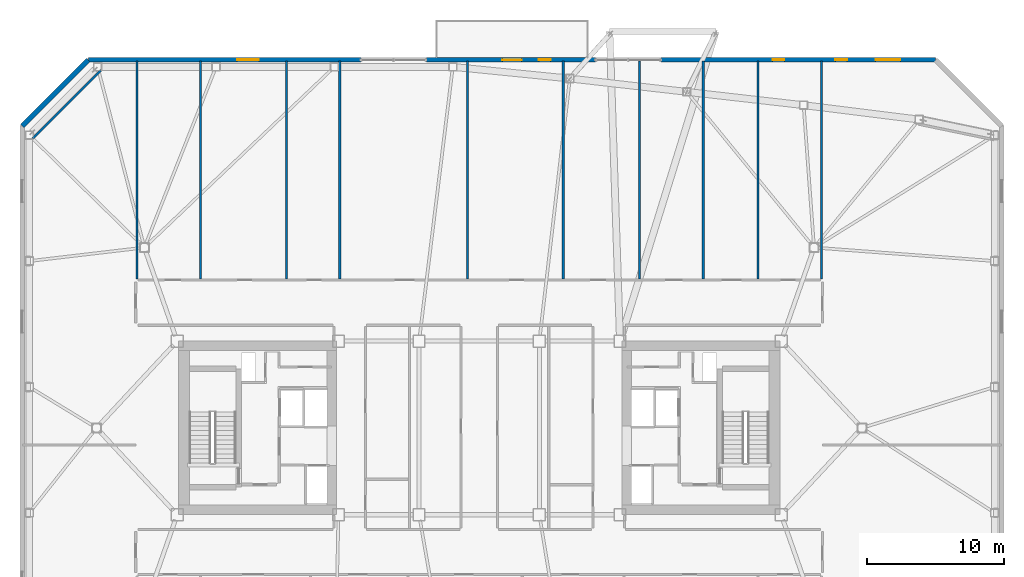
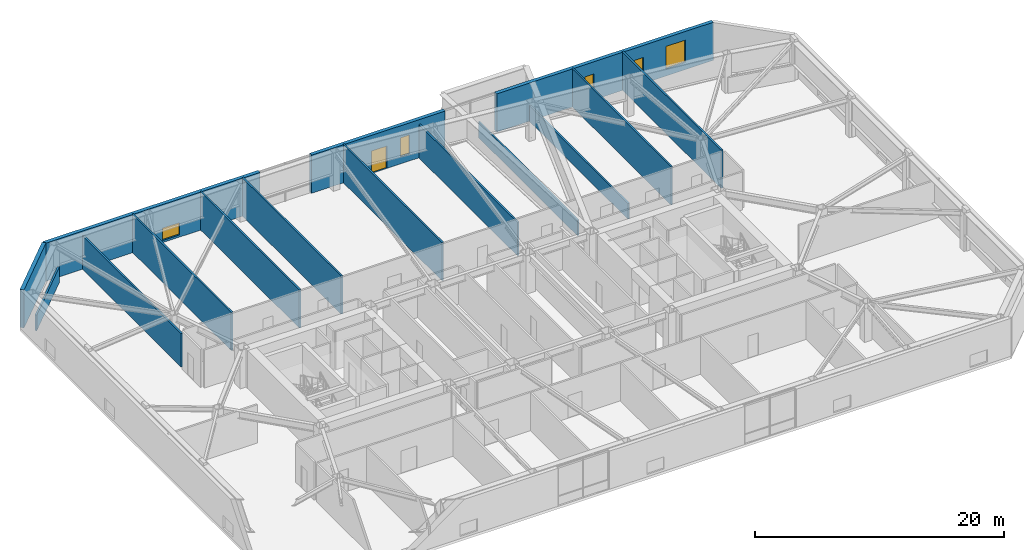
# One storey, part 13 of 19: 15 walls, 5 windows, 1 door, 6 openings.
"""IFC4 building model written with IfcOpenShell, lengths in metres."""

from ifc_helpers import new_model, si_unit, direction, frame, frame_2d, origin, place, context, subcontext, project, spatial, rectangle, extrude, material, layer, layer_set, type_object, element, fill, save


model = new_model("IFC4")

# Units and contexts
model_context = context("Model", 3, precision=1e-05, world=origin(), true_north=direction((0.0, 1.0)))
body_context = subcontext(model_context, "Body", "Model", "MODEL_VIEW")
ifc_project = project(units=[si_unit("LENGTHUNIT", "METRE"), si_unit("AREAUNIT", "SQUARE_METRE"), si_unit("VOLUMEUNIT", "CUBIC_METRE"), si_unit("PLANEANGLEUNIT", "RADIAN"), si_unit("MASSUNIT", "GRAM", prefix="KILO")], contexts=[model_context])

# Site, building, storey
site_placement = place(None, origin())
site = spatial("IfcSite", under=ifc_project, at=site_placement, CompositionType="ELEMENT")
building_placement = place(site_placement, origin())
building = spatial("IfcBuilding", under=site, at=building_placement, Name="Tavrogorsk Clinical Tower", CompositionType="ELEMENT")
storey_placement = place(building_placement, frame((0.0, 0.0, 172.199951171875)))
storey = spatial("IfcBuildingStorey", under=building, at=storey_placement, Name="L39", CompositionType="ELEMENT", Elevation=172.199951171875)

# Walls
ifc_material_1 = material(Name="Lightweight concrete blockwork B15", Category="masonry")
ifc_layer_1 = layer(ifc_material_1, 0.159912109375)
ifc_layer_set_1 = layer_set([ifc_layer_1], Name="Lightweight concrete blockwork B15")
wall_type_1 = type_object("IfcWallType", Name="PartitionWall_160", PredefinedType="PARTITIONING", material=ifc_layer_set_1)
wall_1_placement = place(storey_placement, frame((-27.6796875, 26.1796875, 0.0), z_axis=(0.0, 0.0, 1.0), x_axis=(-0.707106781187, -0.707106781187, 0.0)))
element("IfcWall", 1, at=wall_1_placement, inside=storey, type_object=wall_type_1, Name="L39 Corner Exoskeleton Brace Furring Wall 3", PredefinedType="PARTITIONING", context=body_context, shape_type="SweptSolid", body=[
    extrude(rectangle(XDim=7.071044921875, YDim=0.159912109375, at=frame_2d((3.53564453125, 0.0))), origin(), (0.0, 0.0, 1.0), 1.53515625),
])
wall_2_placement = place(storey_placement, frame((-25.050048828125, 10.9150390625, 0.0), z_axis=(0.0, 0.0, 1.0), x_axis=(0.0, 1.0, 0.0)))
element("IfcWall", 2, at=wall_2_placement, inside=storey, type_object=wall_type_1, Name="L39 NW Wing Closure Partition", PredefinedType="PARTITIONING", context=body_context, shape_type="SweptSolid", body=[
    extrude(rectangle(XDim=15.945068359375, YDim=0.159912109375, at=frame_2d((7.97265625, 0.0))), origin(), (0.0, 0.0, 1.0), 3.28515625),
])
for number, where, z_axis, x_axis, name in (
    (3, (25.050048828125, 10.9150390625, 0.0), (0.0, 0.0, 1.0), (0.0, 1.0, 0.0), "L39 NE Wing Closure Partition"),
    (4, (-20.39990234375, 10.9150390625, 0.0), (0.0, 0.0, 1.0), (0.0, 1.0, 0.0), "L39 North Room Partition 1"),
    (5, (-10.199951171875, 10.9150390625, 0.0), (0.0, 0.0, 1.0), (0.0, 1.0, 0.0), "L39 North Room Partition 2"),
    (6, (-0.85009765625, 10.9150390625, 0.0), (0.0, 0.0, 1.0), (0.0, 1.0, 0.0), "L39 North Room Partition 3"),
):
    element("IfcWall", number, at=place(storey_placement, frame(where, z_axis=z_axis, x_axis=x_axis)), inside=storey, type_object=wall_type_1, Name=name, PredefinedType="PARTITIONING", context=body_context, shape_type="SweptSolid", body=[
        extrude(rectangle(XDim=15.945068359375, YDim=0.159912109375, at=frame_2d((7.97265625, 0.0))), origin(), (0.0, 0.0, 1.0), 3.739990234375),
    ])
wall_3_placement = place(storey_placement, frame((6.14990234375, 10.9150390625, 0.0), z_axis=(0.0, 0.0, 1.0), x_axis=(0.0, 1.0, 0.0)))
element("IfcWall", 7, at=wall_3_placement, inside=storey, type_object=wall_type_1, Name="L39 North Room Partition 4", PredefinedType="PARTITIONING", context=body_context, shape_type="SweptSolid", body=[
    extrude(rectangle(XDim=15.945068359375, YDim=0.159912109375, at=frame_2d((7.97265625, 0.0))), origin(), (0.0, 0.0, 1.0), 3.28515625),
])
wall_4_placement = place(storey_placement, frame((16.39990234375, 10.9150390625, 0.0), z_axis=(0.0, 0.0, 1.0), x_axis=(0.0, 1.0, 0.0)))
element("IfcWall", 8, at=wall_4_placement, inside=storey, type_object=wall_type_1, Name="L39 North Room Partition 5", PredefinedType="PARTITIONING", context=body_context, shape_type="SweptSolid", body=[
    extrude(rectangle(XDim=15.945068359375, YDim=0.159912109375, at=frame_2d((7.97265625, 0.0))), origin(), (0.0, 0.0, 1.0), 1.53515625),
])
for number, where, z_axis, x_axis, name in (
    (9, (20.39990234375, 10.9150390625, 0.0), (0.0, 0.0, 1.0), (0.0, 1.0, 0.0), "L39 North Room Partition 6"),
    (10, (-14.090087890625, 10.9150390625, 0.0), (0.0, 0.0, 1.0), (0.0, 1.0, 0.0), "L39 North Sub-Partition 2"),
):
    element("IfcWall", number, at=place(storey_placement, frame(where, z_axis=z_axis, x_axis=x_axis)), inside=storey, type_object=wall_type_1, Name=name, PredefinedType="PARTITIONING", context=body_context, shape_type="SweptSolid", body=[
        extrude(rectangle(XDim=15.945068359375, YDim=0.159912109375, at=frame_2d((7.97265625, 0.0))), origin(), (0.0, 0.0, 1.0), 3.739990234375),
    ])
wall_5_placement = place(storey_placement, frame((11.72509765625, 10.9150390625, 0.0), z_axis=(0.0, 0.0, 1.0), x_axis=(0.0, 1.0, 0.0)))
element("IfcWall", 11, at=wall_5_placement, inside=storey, type_object=wall_type_1, Name="L39 North Sub-Partition 5", PredefinedType="PARTITIONING", context=body_context, shape_type="SweptSolid", body=[
    extrude(rectangle(XDim=15.945068359375, YDim=0.159912109375, at=frame_2d((7.97265625, 0.0))), origin(), (0.0, 0.0, 1.0), 1.53515625),
])

# Wall, openings, windows
ifc_material_2 = material(Name="Precast concrete B45 with limestone cladding", Category="masonry")
ifc_layer_2 = layer(ifc_material_2, 0.340087890625)
ifc_layer_set_2 = layer_set([ifc_layer_2], Name="Precast concrete B45 with limestone cladding")
wall_type_2 = type_object("IfcWallType", Name="PrecastLimestoneWall_340", PredefinedType="STANDARD", material=ifc_layer_set_2)
wall_6_placement = place(storey_placement, frame((33.39990234375, 26.929931640625, 0.0), z_axis=(0.0, 0.0, 1.0), x_axis=(-1.0, 0.0, 0.0)))
wall_6 = element("IfcWall", 12, at=wall_6_placement, inside=storey, type_object=wall_type_2, Name="L39 N Limestone Facade Wall 1", PredefinedType="STANDARD", context=body_context, shape_type="SweptSolid", body=[
    extrude(rectangle(XDim=20.08984375, YDim=0.340087890625, at=frame_2d((10.044921875, 0.0))), origin(), (0.0, 0.0, 1.0), 3.739990234375),
])
opening_1_placement = place(wall_6_placement, frame((11.0712890625, 0.0, 0.699951171875)))
opening_1 = element("IfcOpeningElement", 13, at=opening_1_placement, cuts=wall_6, Name="Opening WN-06", PredefinedType="OPENING", context=body_context, shape_type="SweptSolid", body=[
    extrude(rectangle(XDim=0.85009765625, YDim=1.85009765625, at=frame_2d((0.425048828125, 0.925048828125))), frame((0.0, 0.179931640625, 0.0), z_axis=(0.0, -1.0, 0.0), x_axis=(1.0, 0.0, 0.0)), (0.0, 0.0, 1.0), 0.360107421875),
])
opening_2_placement = place(wall_6_placement, frame((6.479736328125, 0.0, 0.699951171875)))
opening_2 = element("IfcOpeningElement", 14, at=opening_2_placement, cuts=wall_6, Name="Opening WN-06", PredefinedType="OPENING", context=body_context, shape_type="SweptSolid", body=[
    extrude(rectangle(XDim=0.85009765625, YDim=1.85009765625, at=frame_2d((0.425048828125, 0.925048828125))), frame((0.0, 0.179931640625, 0.0), z_axis=(0.0, -1.0, 0.0), x_axis=(1.0, 0.0, 0.0)), (0.0, 0.0, 1.0), 0.360107421875),
])
opening_3_placement = place(wall_6_placement, frame((2.591064453125, 0.0, 0.699951171875)))
opening_3 = element("IfcOpeningElement", 15, at=opening_3_placement, cuts=wall_6, Name="Opening WN-04", PredefinedType="OPENING", context=body_context, shape_type="SweptSolid", body=[
    extrude(rectangle(XDim=1.800048828125, YDim=2.199951171875, at=frame_2d((0.89990234375, 1.10009765625))), frame((0.0, 0.179931640625, 0.0), z_axis=(0.0, -1.0, 0.0), x_axis=(1.0, 0.0, 0.0)), (0.0, 0.0, 1.0), 0.360107421875),
])
ifc_material_3 = material(Name="Thermally broken aluminium frame and triple IGU", Category="aluminium")
window_type_1 = type_object("IfcWindowType", Name="IsolationWin_1800x2200", PartitioningType="SINGLE_PANEL", PredefinedType="WINDOW", material=ifc_material_3)
window_1_placement = place(opening_3_placement, origin())
window_1 = element("IfcWindow", 16, at=window_1_placement, inside=storey, type_object=window_type_1, Name="L39 N Chicago Window 10", OverallHeight=2.199951171875, OverallWidth=1.800048828125, PartitioningType="SINGLE_PANEL", PredefinedType="WINDOW", context=body_context, shape_type="SweptSolid", body=[
    extrude(rectangle(XDim=1.800048828125, YDim=2.199951171875, at=frame_2d((0.89990234375, 1.10009765625))), frame((0.0, 0.030029296875, 0.0), z_axis=(0.0, -1.0, 0.0), x_axis=(1.0, 0.0, 0.0)), (0.0, 0.0, 1.0), 0.06005859375),
])
fill(opening_3, window_1)
ifc_material_4 = material(Name="Thermally broken aluminium frame and triple IGU", Category="aluminium")
window_type_2 = type_object("IfcWindowType", Name="MullionSubWin_850x1850", PartitioningType="SINGLE_PANEL", PredefinedType="WINDOW", material=ifc_material_4)
window_2_placement = place(opening_1_placement, origin())
window_2 = element("IfcWindow", 17, at=window_2_placement, inside=storey, type_object=window_type_2, Name="L39 N Mullion Split Window 08A", OverallHeight=1.85009765625, OverallWidth=0.85009765625, PartitioningType="SINGLE_PANEL", PredefinedType="WINDOW", context=body_context, shape_type="SweptSolid", body=[
    extrude(rectangle(XDim=0.85009765625, YDim=1.85009765625, at=frame_2d((0.425048828125, 0.925048828125))), frame((0.0, 0.030029296875, 0.0), z_axis=(0.0, -1.0, 0.0), x_axis=(1.0, 0.0, 0.0)), (0.0, 0.0, 1.0), 0.06005859375),
])
fill(opening_1, window_2)
window_3_placement = place(opening_2_placement, origin())
window_3 = element("IfcWindow", 18, at=window_3_placement, inside=storey, type_object=window_type_2, Name="L39 N Mullion Split Window 09A", OverallHeight=1.85009765625, OverallWidth=0.85009765625, PartitioningType="SINGLE_PANEL", PredefinedType="WINDOW", context=body_context, shape_type="SweptSolid", body=[
    extrude(rectangle(XDim=0.85009765625, YDim=1.85009765625, at=frame_2d((0.425048828125, 0.925048828125))), frame((0.0, 0.030029296875, 0.0), z_axis=(0.0, -1.0, 0.0), x_axis=(1.0, 0.0, 0.0)), (0.0, 0.0, 1.0), 0.06005859375),
])
fill(opening_2, window_3)

# Wall, openings, window, door
wall_7_placement = place(storey_placement, frame((8.510009765625, 26.929931640625, 0.0), z_axis=(0.0, 0.0, 1.0), x_axis=(-1.0, 0.0, 0.0)))
wall_7 = element("IfcWall", 19, at=wall_7_placement, inside=storey, type_object=wall_type_2, Name="L39 N Limestone Facade Wall 2", PredefinedType="STANDARD", context=body_context, shape_type="SweptSolid", body=[
    extrude(rectangle(XDim=12.372802734375, YDim=0.340087890625, at=frame_2d((6.1865234375, 0.0))), origin(), (0.0, 0.0, 1.0), 3.739990234375),
])
opening_4_placement = place(wall_7_placement, frame((5.41015625, 0.0, 0.0)))
opening_4 = element("IfcOpeningElement", 20, at=opening_4_placement, cuts=wall_7, Name="Opening ED-03", PredefinedType="OPENING", context=body_context, shape_type="SweptSolid", body=[
    extrude(rectangle(XDim=1.39990234375, YDim=2.199951171875, at=frame_2d((0.699951171875, 1.10009765625))), frame((0.0, 0.179931640625, 0.0), z_axis=(0.0, -1.0, 0.0), x_axis=(1.0, 0.0, 0.0)), (0.0, 0.0, 1.0), 0.360107421875),
])
opening_5_placement = place(wall_7_placement, frame((3.28857421875, 0.0, 0.699951171875)))
opening_5 = element("IfcOpeningElement", 21, at=opening_5_placement, cuts=wall_7, Name="Opening WN-06", PredefinedType="OPENING", context=body_context, shape_type="SweptSolid", body=[
    extrude(rectangle(XDim=0.85009765625, YDim=1.85009765625, at=frame_2d((0.425048828125, 0.925048828125))), frame((0.0, 0.179931640625, 0.0), z_axis=(0.0, -1.0, 0.0), x_axis=(1.0, 0.0, 0.0)), (0.0, 0.0, 1.0), 0.360107421875),
])
window_4_placement = place(opening_5_placement, origin())
window_4 = element("IfcWindow", 22, at=window_4_placement, inside=storey, type_object=window_type_2, Name="L39 N Mullion Split Window 06A", OverallHeight=1.85009765625, OverallWidth=0.85009765625, PartitioningType="SINGLE_PANEL", PredefinedType="WINDOW", context=body_context, shape_type="SweptSolid", body=[
    extrude(rectangle(XDim=0.85009765625, YDim=1.85009765625, at=frame_2d((0.425048828125, 0.925048828125))), frame((0.0, 0.030029296875, 0.0), z_axis=(0.0, -1.0, 0.0), x_axis=(1.0, 0.0, 0.0)), (0.0, 0.0, 1.0), 0.06005859375),
])
fill(opening_5, window_4)
ifc_material_5 = material(Name="Thermally broken aluminium and laminated safety glass", Category="aluminium")
door_type = type_object("IfcDoorType", Name="TerraceGlassDoor_ED03_1400", OperationType="DOUBLE_SWING_LEFT", PredefinedType="DOOR", material=ifc_material_5)
door_placement = place(opening_4_placement, origin())
door = element("IfcDoor", 23, at=door_placement, inside=storey, type_object=door_type, Name="L39 Spiralling Recuperation Terrace Door ED-03", OperationType="DOUBLE_SWING_LEFT", OverallHeight=2.199951171875, OverallWidth=1.39990234375, PredefinedType="DOOR", context=body_context, shape_type="SweptSolid", body=[
    extrude(rectangle(XDim=1.39990234375, YDim=2.199951171875, at=frame_2d((0.699951171875, 1.10009765625))), frame((0.0, 0.02490234375, 0.0), z_axis=(0.0, -1.0, 0.0), x_axis=(1.0, 0.0, 0.0)), (0.0, 0.0, 1.0), 0.050048828125),
])
fill(opening_4, door)

# Wall, opening, window
wall_8_placement = place(storey_placement, frame((-8.662841796875, 26.929931640625, 0.0), z_axis=(0.0, 0.0, 1.0), x_axis=(-1.0, 0.0, 0.0)))
wall_8 = element("IfcWall", 24, at=wall_8_placement, inside=storey, type_object=wall_type_2, Name="L39 N Limestone Facade Wall 3", PredefinedType="STANDARD", context=body_context, shape_type="SweptSolid", body=[
    extrude(rectangle(XDim=19.937255859375, YDim=0.340087890625, at=frame_2d((9.96875, 0.0))), origin(), (0.0, 0.0, 1.0), 3.739990234375),
])
opening_6_placement = place(wall_8_placement, frame((7.455322265625, 0.0, 0.219970703125)))
opening_6 = element("IfcOpeningElement", 25, at=opening_6_placement, cuts=wall_8, Name="Opening WN-09", PredefinedType="OPENING", context=body_context, shape_type="SweptSolid", body=[
    extrude(rectangle(XDim=1.60009765625, YDim=1.199951171875, at=frame_2d((0.800048828125, 0.60009765625))), frame((0.0, 0.179931640625, 0.0), z_axis=(0.0, -1.0, 0.0), x_axis=(1.0, 0.0, 0.0)), (0.0, 0.0, 1.0), 0.360107421875),
])
ifc_material_6 = material(Name="Thermally broken aluminium frame and triple IGU", Category="aluminium")
window_type_3 = type_object("IfcWindowType", Name="LowHeadTransWin_1600x1200", PartitioningType="DOUBLE_PANEL_VERTICAL", PredefinedType="WINDOW", material=ifc_material_6)
window_5_placement = place(opening_6_placement, origin())
window_5 = element("IfcWindow", 26, at=window_5_placement, inside=storey, type_object=window_type_3, Name="L39 N Chicago Window 03", OverallHeight=1.199951171875, OverallWidth=1.60009765625, PartitioningType="SINGLE_PANEL", PredefinedType="WINDOW", context=body_context, shape_type="SweptSolid", body=[
    extrude(rectangle(XDim=1.60009765625, YDim=1.199951171875, at=frame_2d((0.800048828125, 0.60009765625))), frame((0.0, 0.030029296875, 0.0), z_axis=(0.0, -1.0, 0.0), x_axis=(1.0, 0.0, 0.0)), (0.0, 0.0, 1.0), 0.06005859375),
])
fill(opening_6, window_5)

# Wall
wall_9_placement = place(storey_placement, frame((-28.60009765625, 26.929931640625, 0.0), z_axis=(0.0, 0.0, 1.0), x_axis=(-0.707106781187, -0.707106781187, 0.0)))
element("IfcWall", 27, at=wall_9_placement, inside=storey, type_object=wall_type_2, Name="L39 Chamfered Corner Wall 3", PredefinedType="STANDARD", context=body_context, shape_type="SweptSolid", body=[
    extrude(rectangle(XDim=6.830322265625, YDim=0.340087890625, at=frame_2d((3.4150390625, 0.0))), origin(), (0.0, 0.0, 1.0), 3.739990234375),
])

save(model, "model.ifc")
